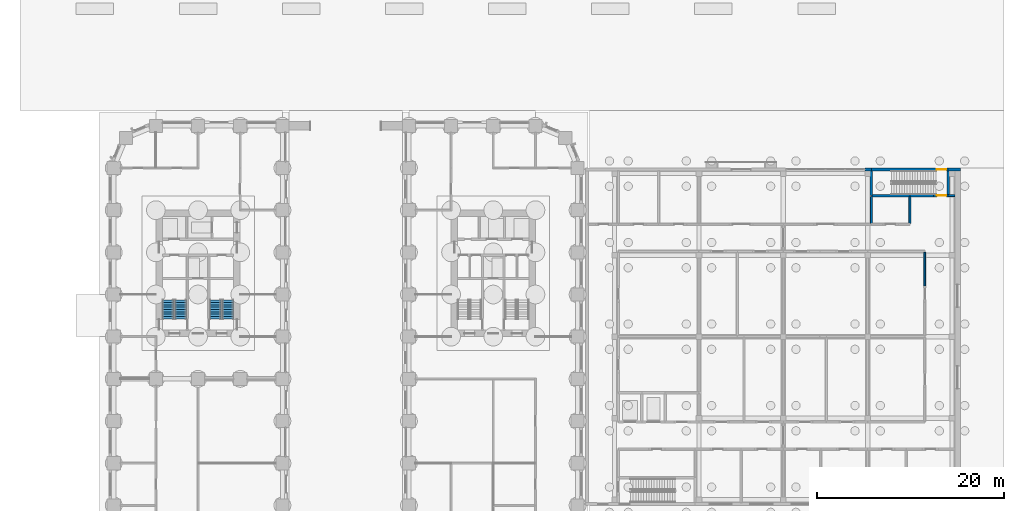
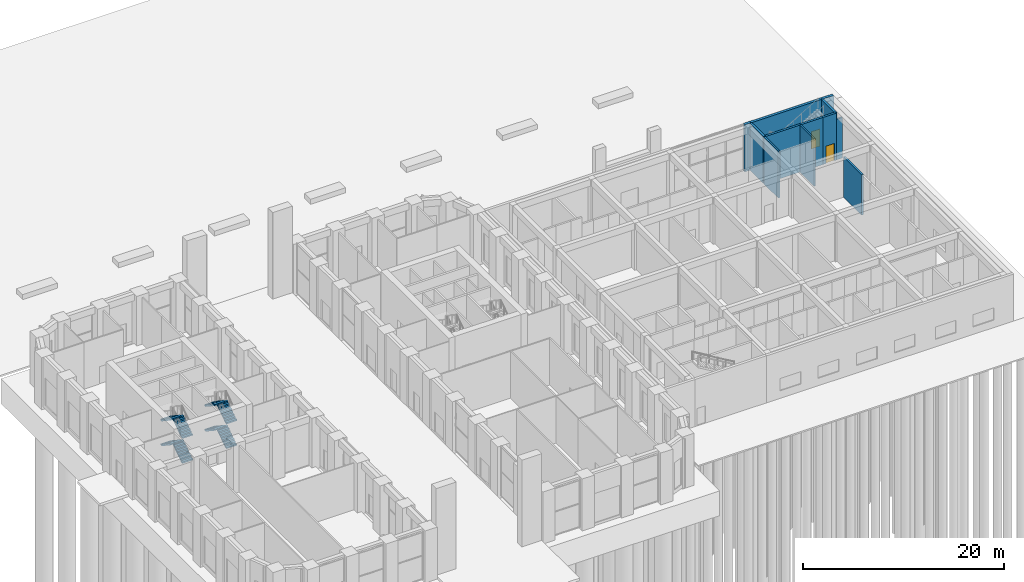
# One storey, part 22 of 31: 12 walls, 8 stair flights, 2 doors, 2 openings, 2 elements without a shape of their own.
"""IFC4 building model written with IfcOpenShell, lengths in metres."""

from ifc_helpers import new_model, si_unit, direction, frame, frame_2d, origin, place, context, subcontext, project, spatial, polyline, rectangle, outline, extrude, material, layer, layer_set, type_object, element, fill, aggregate, save


model = new_model("IFC4")

# Units and contexts
model_context = context("Model", 3, precision=1e-05, world=origin(), true_north=direction((0.0, 1.0)))
body_context = subcontext(model_context, "Body", "Model", "MODEL_VIEW")
ifc_project = project(units=[si_unit("LENGTHUNIT", "METRE"), si_unit("AREAUNIT", "SQUARE_METRE"), si_unit("VOLUMEUNIT", "CUBIC_METRE"), si_unit("PLANEANGLEUNIT", "RADIAN"), si_unit("MASSUNIT", "GRAM", prefix="KILO")], contexts=[model_context])

# Site, building, storey
site_placement = place(None, origin())
site = spatial("IfcSite", under=ifc_project, at=site_placement, CompositionType="ELEMENT")
building_placement = place(site_placement, origin())
building = spatial("IfcBuilding", under=site, at=building_placement, Name="Girih Gate Residences", CompositionType="ELEMENT")
storey_placement = place(building_placement, origin())
storey = spatial("IfcBuildingStorey", under=building, at=storey_placement, Name="L00", CompositionType="ELEMENT", Elevation=0.0)

# Walls
ifc_material_1 = material(Name="Fire-rated gypsum partition")
ifc_layer_1 = layer(ifc_material_1, 0.199951171875)
ifc_layer_set_1 = layer_set([ifc_layer_1], Name="HC Corridor wall 200 EI 60")
wall_type_1 = type_object("IfcWallType", Name="HC Corridor wall 200 EI 60", PredefinedType="PARTITIONING", material=ifc_layer_set_1)
wall_1_placement = place(storey_placement, frame((89.050048828125, 42.050048828125, 0.0), z_axis=(0.0, 0.0, 1.0), x_axis=(1.0, 0.0, 0.0)))
element("IfcWall", 1, at=wall_1_placement, inside=storey, type_object=wall_type_1, Name="L00 wall x42.05/89.0", PredefinedType="PARTITIONING", context=body_context, shape_type="SweptSolid", body=[
    extrude(rectangle(XDim=0.699951171875, YDim=0.199951171875, at=frame_2d((0.35009765625, 0.0))), origin(), (0.0, 0.0, 1.0), 4.89990234375),
])
for number, where, z_axis, x_axis, name in (
    (2, (80.85009765625, 39.10009765625, 0.0), (0.0, 0.0, 1.0), (0.0, 1.0, 0.0), "L00 wall y80.85/39.1"),
    (3, (84.949951171875, 39.10009765625, 0.0), (0.0, 0.0, 1.0), (0.0, 1.0, 0.0), "L00 wall y84.95/39.1"),
):
    element("IfcWall", number, at=place(storey_placement, frame(where, z_axis=z_axis, x_axis=x_axis)), inside=storey, type_object=wall_type_1, Name=name, PredefinedType="PARTITIONING", context=body_context, shape_type="SweptSolid", body=[
        extrude(rectangle(XDim=2.849853515625, YDim=0.199951171875, at=frame_2d((1.4248046875, 0.0))), origin(), (0.0, 0.0, 1.0), 5.699951171875),
    ])
wall_2_placement = place(storey_placement, frame((86.550048828125, 32.39990234375, 0.0), z_axis=(0.0, 0.0, 1.0), x_axis=(0.0, 1.0, 0.0)))
element("IfcWall", 4, at=wall_2_placement, inside=storey, type_object=wall_type_1, Name="L00 wall y86.55/32.4", PredefinedType="PARTITIONING", context=body_context, shape_type="SweptSolid", body=[
    extrude(rectangle(XDim=3.60009765625, YDim=0.199951171875, at=frame_2d((1.800048828125, 0.0))), origin(), (0.0, 0.0, 1.0), 4.89990234375),
])
ifc_material_2 = material(Name="Precast concrete C40/50", Category="concrete")
ifc_layer_2 = layer(ifc_material_2, 0.300048828125)
ifc_layer_set_2 = layer_set([ifc_layer_2], Name="HC Facade wall 300")
wall_type_2 = type_object("IfcWallType", Name="HC Facade wall 300", PredefinedType="SOLIDWALL", material=ifc_layer_set_2)
wall_3_placement = place(storey_placement, frame((80.14990234375, 44.85009765625, 0.0), z_axis=(0.0, 0.0, 1.0), x_axis=(1.0, 0.0, 0.0)))
element("IfcWall", 5, at=wall_3_placement, inside=storey, type_object=wall_type_2, Name="L00 north facade wall east", PredefinedType="SOLIDWALL", context=body_context, shape_type="SweptSolid", body=[
    extrude(rectangle(XDim=0.7001953125, YDim=0.300048828125, at=frame_2d((0.35009765625, 0.0))), origin(), (0.0, 0.0, 1.0), 5.699951171875),
])
wall_4_placement = place(storey_placement, frame((89.050048828125, 44.85009765625, 0.0), z_axis=(0.0, 0.0, 1.0), x_axis=(1.0, 0.0, 0.0)))
element("IfcWall", 6, at=wall_4_placement, inside=storey, type_object=wall_type_2, Name="L00 north facade wall east", PredefinedType="SOLIDWALL", context=body_context, shape_type="SweptSolid", body=[
    extrude(rectangle(XDim=1.300048828125, YDim=0.300048828125, at=frame_2d((0.64990234375, 0.0))), origin(), (0.0, 0.0, 1.0), 5.699951171875),
])
ifc_material_3 = material(Name="Concrete C40/50", Category="concrete")
ifc_layer_3 = layer(ifc_material_3, 0.25)
ifc_layer_set_3 = layer_set([ifc_layer_3], Name="HC Shaft wall 250 C40/50")
wall_type_3 = type_object("IfcWallType", Name="HC Shaft wall 250 C40/50", PredefinedType="SHEAR", material=ifc_layer_set_3)
wall_5_placement = place(storey_placement, frame((80.85009765625, 42.050048828125, 0.0), z_axis=(0.0, 0.0, 1.0), x_axis=(1.0, 0.0, 0.0)))
element("IfcWall", 7, at=wall_5_placement, inside=storey, type_object=wall_type_3, Name="L00 wall x42.05/80.8", PredefinedType="SHEAR", context=body_context, shape_type="SweptSolid", body=[
    extrude(rectangle(XDim=4.099853515625, YDim=0.25, at=frame_2d((2.0498046875, 0.0))), origin(), (0.0, 0.0, 1.0), 5.699951171875),
])
wall_6_placement = place(storey_placement, frame((84.949951171875, 42.050048828125, 0.0), z_axis=(0.0, 0.0, 1.0), x_axis=(1.0, 0.0, 0.0)))
element("IfcWall", 8, at=wall_6_placement, inside=storey, type_object=wall_type_3, Name="L00 wall x42.05/85.0", PredefinedType="SHEAR", context=body_context, shape_type="SweptSolid", body=[
    extrude(rectangle(XDim=2.550048828125, YDim=0.25, at=frame_2d((1.27490234375, 0.0))), origin(), (0.0, 0.0, 1.0), 5.699951171875),
])

# Wall, opening, door
wall_7_placement = place(storey_placement, frame((89.050048828125, 42.050048828125, 0.0), z_axis=(0.0, 0.0, 1.0), x_axis=(-1.0, 0.0, 0.0)))
wall_7 = element("IfcWall", 9, at=wall_7_placement, inside=storey, type_object=wall_type_3, Name="L00 wall x42.05/87.5", PredefinedType="SHEAR", context=body_context, shape_type="SweptSolid", body=[
    extrude(rectangle(XDim=1.550048828125, YDim=0.25, at=frame_2d((0.77490234375, 0.0))), origin(), (0.0, 0.0, 1.0), 5.699951171875),
])
opening_1_placement = place(wall_7_placement, frame((0.199951171875, 0.0, 0.0)))
opening_1 = element("IfcOpeningElement", 10, at=opening_1_placement, cuts=wall_7, Name="Opening HC-L00-D02", PredefinedType="OPENING", context=body_context, shape_type="SweptSolid", body=[
    extrude(rectangle(XDim=1.0, YDim=2.10009765625, at=frame_2d((0.5, 1.050048828125))), frame((0.0, 0.135009765625, 0.0), z_axis=(0.0, -1.0, 0.0), x_axis=(1.0, 0.0, 0.0)), (0.0, 0.0, 1.0), 0.27001953125),
])
ifc_material_4 = material(Name="Steel door set", Category="steel")
door_type_1 = type_object("IfcDoorType", Name="HC Stair door 1000x2100 FD60", OperationType="NOTDEFINED", PredefinedType="DOOR", material=ifc_material_4)
door_1_placement = place(opening_1_placement, origin())
door_1 = element("IfcDoor", 11, at=door_1_placement, inside=storey, type_object=door_type_1, Name="L00 Stair B door", OperationType="SINGLE_SWING_LEFT", OverallHeight=2.10009765625, OverallWidth=1.0, PredefinedType="DOOR", context=body_context, shape_type="SweptSolid", body=[
    extrude(rectangle(XDim=1.0, YDim=2.10009765625, at=frame_2d((0.5, 1.050048828125))), frame((0.0, 0.02490234375, 0.0), z_axis=(0.0, -1.0, 0.0), x_axis=(1.0, 0.0, 0.0)), (0.0, 0.0, 1.0), 0.050048828125),
])
fill(opening_1, door_1)

# Walls
for number, where, z_axis, x_axis, name in (
    (12, (80.85009765625, 42.050048828125, 0.0), (0.0, 0.0, 1.0), (0.0, 1.0, 0.0), "L00 wall y80.85/42.0"),
    (13, (89.050048828125, 42.050048828125, 0.0), (0.0, 0.0, 1.0), (0.0, 1.0, 0.0), "L00 wall y89.05/42.0"),
):
    element("IfcWall", number, at=place(storey_placement, frame(where, z_axis=z_axis, x_axis=x_axis)), inside=storey, type_object=wall_type_3, Name=name, PredefinedType="SHEAR", context=body_context, shape_type="SweptSolid", body=[
        extrude(rectangle(XDim=2.64990234375, YDim=0.25, at=frame_2d((1.324951171875, 0.0))), origin(), (0.0, 0.0, 1.0), 5.699951171875),
    ])

# Wall, opening, door
ifc_layer_4 = layer(ifc_material_2, 0.300048828125)
ifc_layer_set_4 = layer_set([ifc_layer_4], Name="HC Stair shaft facade wall 300")
wall_type_4 = type_object("IfcWallType", Name="HC Stair shaft facade wall 300", PredefinedType="SHEAR", material=ifc_layer_set_4)
wall_8_placement = place(storey_placement, frame((80.85009765625, 44.85009765625, 0.0), z_axis=(0.0, 0.0, 1.0), x_axis=(1.0, 0.0, 0.0)))
wall_8 = element("IfcWall", 14, at=wall_8_placement, inside=storey, type_object=wall_type_4, Name="L00 north facade wall east over stair B", PredefinedType="SHEAR", context=body_context, shape_type="SweptSolid", body=[
    extrude(rectangle(XDim=8.199951171875, YDim=0.300048828125, at=frame_2d((4.10009765625, 0.0))), origin(), (0.0, 0.0, 1.0), 5.699951171875),
])
opening_2_placement = place(wall_8_placement, frame((7.0, 0.0, 0.0)))
opening_2 = element("IfcOpeningElement", 15, at=opening_2_placement, cuts=wall_8, Name="Opening HC-L00-X3", PredefinedType="OPENING", context=body_context, shape_type="SweptSolid", body=[
    extrude(rectangle(XDim=1.0, YDim=2.10009765625, at=frame_2d((0.5, 1.050048828125))), frame((0.0, 0.159912109375, 0.0), z_axis=(0.0, -1.0, 0.0), x_axis=(1.0, 0.0, 0.0)), (0.0, 0.0, 1.0), 0.320068359375),
])
door_type_2 = type_object("IfcDoorType", Name="HC Exit door 1000x2100", OperationType="NOTDEFINED", PredefinedType="DOOR", material=ifc_material_4)
door_2_placement = place(opening_2_placement, origin())
door_2 = element("IfcDoor", 16, at=door_2_placement, inside=storey, type_object=door_type_2, Name="L00 north exit door", OperationType="SINGLE_SWING_LEFT", OverallHeight=2.10009765625, OverallWidth=1.0, PredefinedType="DOOR", context=body_context, shape_type="SweptSolid", body=[
    extrude(rectangle(XDim=1.0, YDim=2.10009765625, at=frame_2d((0.5, 1.050048828125))), frame((0.0, 0.02490234375, 0.0), z_axis=(0.0, -1.0, 0.0), x_axis=(1.0, 0.0, 0.0)), (0.0, 0.0, 1.0), 0.050048828125),
])
fill(opening_2, door_2)

# Stair, stair flights
stair_type = type_object("IfcStairType", Name="Exit stair", PredefinedType="HALF_TURN_STAIR", material=ifc_material_3)
stair_1_placement = place(storey_placement, origin())
stair_1 = element("IfcStair", 17, at=stair_1_placement, inside=storey, type_object=stair_type, Name="L00 Exit Stair ST-W1", PredefinedType="HALF_TURN_STAIR")
stair_flight_type = type_object("IfcStairFlightType", Name="Stair flight 1200", PredefinedType="STRAIGHT", material=ifc_material_3)
stair_flight_1_placement = place(storey_placement, frame((7.14990234375, 28.89990234375, 0.0), z_axis=(0.0, 0.0, 1.0), x_axis=(0.0, 1.0, 0.0)))
stair_flight_1 = element("IfcStairFlight", 18, at=stair_flight_1_placement, type_object=stair_flight_type, Name="ST-W1 flight 1", NumberOfRisers=9, NumberOfTreads=8, PredefinedType="STRAIGHT", RiserHeight=0.166666667, TreadLength=0.25, context=body_context, shape_type="SweptSolid", body=[
    extrude(outline(polyline([(0.0, 0.0), (0.0, 0.166748046875), (0.25, 0.166748046875), (0.25, 0.333251953125), (0.5, 0.333251953125), (0.5, 0.5), (0.75, 0.5), (0.75, 0.666748046875), (1.0, 0.666748046875), (1.0, 0.833251953125), (1.25, 0.833251953125), (1.25, 1.0), (1.5, 1.0), (1.5, 1.166748046875), (1.75, 1.166748046875), (1.75, 1.333251953125), (2.0, 1.333251953125), (2.0, 1.5), (2.0, 1.18896484375), (0.216552734375, 0.0), (0.0, 0.0)])), frame((0.0, 0.60009765625, 0.0), z_axis=(0.0, -1.0, 0.0), x_axis=(1.0, 0.0, 0.0)), (0.0, 0.0, 1.0), 1.199951171875),
])
stair_flight_2_placement = place(storey_placement, frame((5.800048828125, 30.89990234375, 1.5), z_axis=(0.0, 0.0, 1.0), x_axis=(0.0, -1.0, 0.0)))
stair_flight_2 = element("IfcStairFlight", 19, at=stair_flight_2_placement, type_object=stair_flight_type, Name="ST-W1 flight 2", NumberOfRisers=9, NumberOfTreads=8, PredefinedType="STRAIGHT", RiserHeight=0.166666667, TreadLength=0.25, context=body_context, shape_type="SweptSolid", body=[
    extrude(outline(polyline([(0.0, 0.0), (0.0, 0.166748046875), (0.25, 0.166748046875), (0.25, 0.333251953125), (0.5, 0.333251953125), (0.5, 0.5), (0.75, 0.5), (0.75, 0.666748046875), (1.0, 0.666748046875), (1.0, 0.833251953125), (1.25, 0.833251953125), (1.25, 1.0), (1.5, 1.0), (1.5, 1.166748046875), (1.75, 1.166748046875), (1.75, 1.333251953125), (2.0, 1.333251953125), (2.0, 1.5), (2.0, 1.18896484375), (0.216552734375, 0.0), (0.0, 0.0)])), frame((0.0, 0.60009765625, 0.0), z_axis=(0.0, -1.0, 0.0), x_axis=(1.0, 0.0, 0.0)), (0.0, 0.0, 1.0), 1.199951171875),
])
stair_flight_3_placement = place(storey_placement, frame((7.14990234375, 28.89990234375, 3.0), z_axis=(0.0, 0.0, 1.0), x_axis=(0.0, 1.0, 0.0)))
stair_flight_3 = element("IfcStairFlight", 20, at=stair_flight_3_placement, type_object=stair_flight_type, Name="ST-W1 flight 3", NumberOfRisers=9, NumberOfTreads=8, PredefinedType="STRAIGHT", RiserHeight=0.166666667, TreadLength=0.25, context=body_context, shape_type="SweptSolid", body=[
    extrude(outline(polyline([(0.0, 0.0), (0.0, 0.166748046875), (0.25, 0.166748046875), (0.25, 0.333251953125), (0.5, 0.333251953125), (0.5, 0.5), (0.75, 0.5), (0.75, 0.666748046875), (1.0, 0.666748046875), (1.0, 0.833251953125), (1.25, 0.833251953125), (1.25, 1.0), (1.5, 1.0), (1.5, 1.166748046875), (1.75, 1.166748046875), (1.75, 1.333251953125), (2.0, 1.333251953125), (2.0, 1.5), (2.0, 1.18896484375), (0.216552734375, 0.0), (0.0, 0.0)])), frame((0.0, 0.60009765625, 0.0), z_axis=(0.0, -1.0, 0.0), x_axis=(1.0, 0.0, 0.0)), (0.0, 0.0, 1.0), 1.199951171875),
])
stair_flight_4_placement = place(storey_placement, frame((5.800048828125, 30.89990234375, 4.5), z_axis=(0.0, 0.0, 1.0), x_axis=(0.0, -1.0, 0.0)))
stair_flight_4 = element("IfcStairFlight", 21, at=stair_flight_4_placement, type_object=stair_flight_type, Name="ST-W1 flight 4", NumberOfRisers=9, NumberOfTreads=8, PredefinedType="STRAIGHT", RiserHeight=0.166666667, TreadLength=0.25, context=body_context, shape_type="SweptSolid", body=[
    extrude(outline(polyline([(0.0, 0.0), (0.0, 0.166748046875), (0.25, 0.166748046875), (0.25, 0.333251953125), (0.5, 0.333251953125), (0.5, 0.5), (0.75, 0.5), (0.75, 0.666748046875), (1.0, 0.666748046875), (1.0, 0.833251953125), (1.25, 0.833251953125), (1.25, 1.0), (1.5, 1.0), (1.5, 1.166748046875), (1.75, 1.166748046875), (1.75, 1.333251953125), (2.0, 1.333251953125), (2.0, 1.5), (2.0, 1.18896484375), (0.216552734375, 0.0), (0.0, 0.0)])), frame((0.0, 0.60009765625, 0.0), z_axis=(0.0, -1.0, 0.0), x_axis=(1.0, 0.0, 0.0)), (0.0, 0.0, 1.0), 1.199951171875),
])
aggregate(stair_1, [stair_flight_1, stair_flight_2, stair_flight_3, stair_flight_4])

stair_2_placement = place(storey_placement, origin())
stair_2 = element("IfcStair", 22, at=stair_2_placement, inside=storey, type_object=stair_type, Name="L00 Exit Stair ST-W2", PredefinedType="HALF_TURN_STAIR")
stair_flight_5_placement = place(storey_placement, frame((12.199951171875, 28.89990234375, 0.0), z_axis=(0.0, 0.0, 1.0), x_axis=(0.0, 1.0, 0.0)))
stair_flight_5 = element("IfcStairFlight", 23, at=stair_flight_5_placement, type_object=stair_flight_type, Name="ST-W2 flight 1", NumberOfRisers=9, NumberOfTreads=8, PredefinedType="STRAIGHT", RiserHeight=0.166666667, TreadLength=0.25, context=body_context, shape_type="SweptSolid", body=[
    extrude(outline(polyline([(0.0, 0.0), (0.0, 0.166748046875), (0.25, 0.166748046875), (0.25, 0.333251953125), (0.5, 0.333251953125), (0.5, 0.5), (0.75, 0.5), (0.75, 0.666748046875), (1.0, 0.666748046875), (1.0, 0.833251953125), (1.25, 0.833251953125), (1.25, 1.0), (1.5, 1.0), (1.5, 1.166748046875), (1.75, 1.166748046875), (1.75, 1.333251953125), (2.0, 1.333251953125), (2.0, 1.5), (2.0, 1.18896484375), (0.216552734375, 0.0), (0.0, 0.0)])), frame((0.0, 0.60009765625, 0.0), z_axis=(0.0, -1.0, 0.0), x_axis=(1.0, 0.0, 0.0)), (0.0, 0.0, 1.0), 1.199951171875),
])
stair_flight_6_placement = place(storey_placement, frame((10.85009765625, 30.89990234375, 1.5), z_axis=(0.0, 0.0, 1.0), x_axis=(0.0, -1.0, 0.0)))
stair_flight_6 = element("IfcStairFlight", 24, at=stair_flight_6_placement, type_object=stair_flight_type, Name="ST-W2 flight 2", NumberOfRisers=9, NumberOfTreads=8, PredefinedType="STRAIGHT", RiserHeight=0.166666667, TreadLength=0.25, context=body_context, shape_type="SweptSolid", body=[
    extrude(outline(polyline([(0.0, 0.0), (0.0, 0.166748046875), (0.25, 0.166748046875), (0.25, 0.333251953125), (0.5, 0.333251953125), (0.5, 0.5), (0.75, 0.5), (0.75, 0.666748046875), (1.0, 0.666748046875), (1.0, 0.833251953125), (1.25, 0.833251953125), (1.25, 1.0), (1.5, 1.0), (1.5, 1.166748046875), (1.75, 1.166748046875), (1.75, 1.333251953125), (2.0, 1.333251953125), (2.0, 1.5), (2.0, 1.18896484375), (0.216552734375, 0.0), (0.0, 0.0)])), frame((0.0, 0.60009765625, 0.0), z_axis=(0.0, -1.0, 0.0), x_axis=(1.0, 0.0, 0.0)), (0.0, 0.0, 1.0), 1.199951171875),
])
stair_flight_7_placement = place(storey_placement, frame((12.199951171875, 28.89990234375, 3.0), z_axis=(0.0, 0.0, 1.0), x_axis=(0.0, 1.0, 0.0)))
stair_flight_7 = element("IfcStairFlight", 25, at=stair_flight_7_placement, type_object=stair_flight_type, Name="ST-W2 flight 3", NumberOfRisers=9, NumberOfTreads=8, PredefinedType="STRAIGHT", RiserHeight=0.166666667, TreadLength=0.25, context=body_context, shape_type="SweptSolid", body=[
    extrude(outline(polyline([(0.0, 0.0), (0.0, 0.166748046875), (0.25, 0.166748046875), (0.25, 0.333251953125), (0.5, 0.333251953125), (0.5, 0.5), (0.75, 0.5), (0.75, 0.666748046875), (1.0, 0.666748046875), (1.0, 0.833251953125), (1.25, 0.833251953125), (1.25, 1.0), (1.5, 1.0), (1.5, 1.166748046875), (1.75, 1.166748046875), (1.75, 1.333251953125), (2.0, 1.333251953125), (2.0, 1.5), (2.0, 1.18896484375), (0.216552734375, 0.0), (0.0, 0.0)])), frame((0.0, 0.60009765625, 0.0), z_axis=(0.0, -1.0, 0.0), x_axis=(1.0, 0.0, 0.0)), (0.0, 0.0, 1.0), 1.199951171875),
])
stair_flight_8_placement = place(storey_placement, frame((10.85009765625, 30.89990234375, 4.5), z_axis=(0.0, 0.0, 1.0), x_axis=(0.0, -1.0, 0.0)))
stair_flight_8 = element("IfcStairFlight", 26, at=stair_flight_8_placement, type_object=stair_flight_type, Name="ST-W2 flight 4", NumberOfRisers=9, NumberOfTreads=8, PredefinedType="STRAIGHT", RiserHeight=0.166666667, TreadLength=0.25, context=body_context, shape_type="SweptSolid", body=[
    extrude(outline(polyline([(0.0, 0.0), (0.0, 0.166748046875), (0.25, 0.166748046875), (0.25, 0.333251953125), (0.5, 0.333251953125), (0.5, 0.5), (0.75, 0.5), (0.75, 0.666748046875), (1.0, 0.666748046875), (1.0, 0.833251953125), (1.25, 0.833251953125), (1.25, 1.0), (1.5, 1.0), (1.5, 1.166748046875), (1.75, 1.166748046875), (1.75, 1.333251953125), (2.0, 1.333251953125), (2.0, 1.5), (2.0, 1.18896484375), (0.216552734375, 0.0), (0.0, 0.0)])), frame((0.0, 0.60009765625, 0.0), z_axis=(0.0, -1.0, 0.0), x_axis=(1.0, 0.0, 0.0)), (0.0, 0.0, 1.0), 1.199951171875),
])
aggregate(stair_2, [stair_flight_5, stair_flight_6, stair_flight_7, stair_flight_8])

save(model, "model.ifc")
